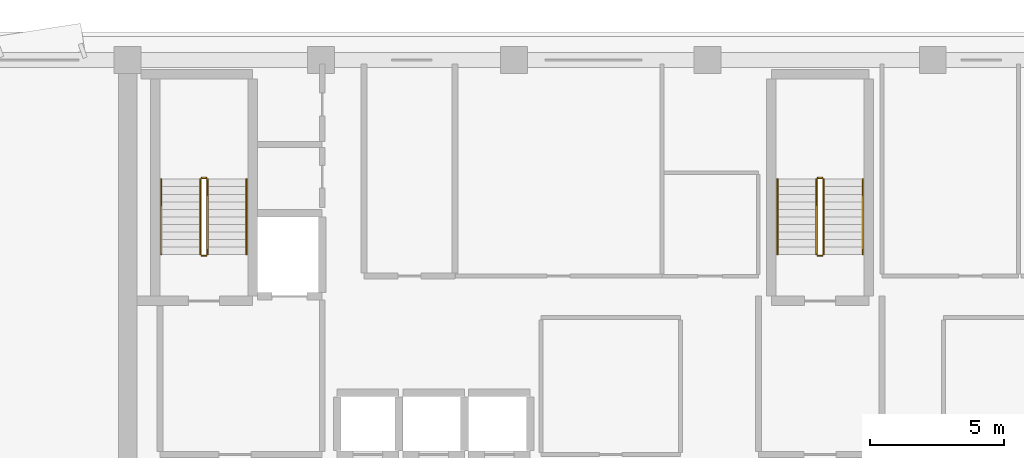
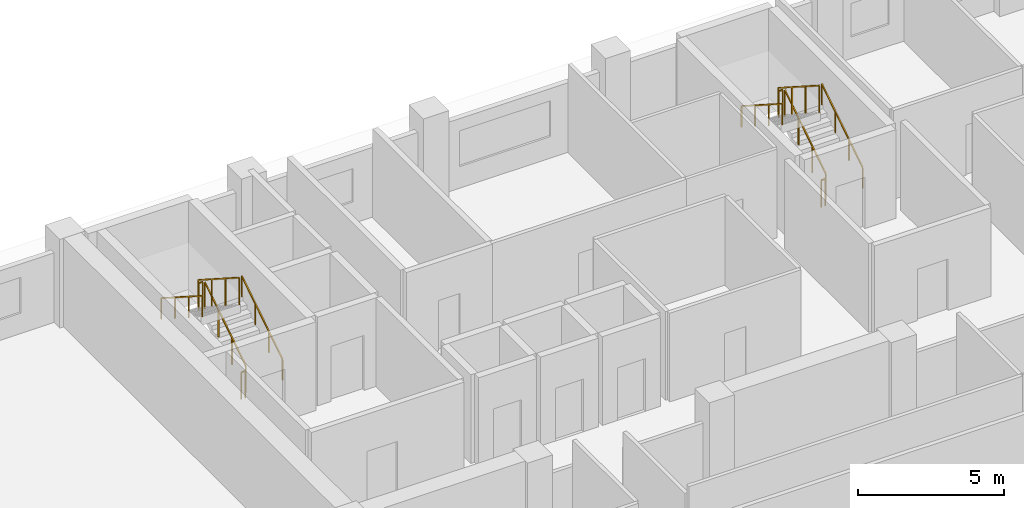
# One storey, part 10 of 11: 12 railings.
"""IFC4 building model written with IfcOpenShell, lengths in metres."""

from ifc_helpers import new_model, si_unit, direction, frame, origin, origin_2d, place, context, subcontext, project, spatial, rectangle, extrude, material, type_object, element, save


model = new_model("IFC4")

# Units and contexts
model_context = context("Model", 3, precision=1e-05, world=origin(), true_north=direction((0.0, 1.0)))
body_context = subcontext(model_context, "Body", "Model", "MODEL_VIEW")
ifc_project = project(units=[si_unit("LENGTHUNIT", "METRE"), si_unit("AREAUNIT", "SQUARE_METRE"), si_unit("VOLUMEUNIT", "CUBIC_METRE"), si_unit("PLANEANGLEUNIT", "RADIAN"), si_unit("MASSUNIT", "GRAM", prefix="KILO")], contexts=[model_context])

# Site, building, storey
site_placement = place(None, origin())
site = spatial("IfcSite", under=ifc_project, at=site_placement, CompositionType="ELEMENT")
building_placement = place(site_placement, origin())
building = spatial("IfcBuilding", under=site, at=building_placement, Name="Kaelvorn Grand Hotel", CompositionType="ELEMENT")
storey_placement = place(building_placement, frame((0.0, 0.0, 268.64990234375)))
storey = spatial("IfcBuildingStorey", under=building, at=storey_placement, Name="L66", CompositionType="ELEMENT", Elevation=268.64990234375)

# Railings
ifc_material = material(Name="Stainless Steel", Category="steel")
railing_type_1 = type_object("IfcRailingType", Name="RL-HANDRAIL-900", PredefinedType="HANDRAIL", material=ifc_material)
railing_1_placement = place(storey_placement, frame((20.6298828125, 41.760009765625, 0.1796875)))
element("IfcRailing", 1, at=railing_1_placement, inside=storey, type_object=railing_type_1, Name="L66 ST1 stair handrail 1", PredefinedType="HANDRAIL", context=body_context, shape_type="SweptSolid", body=[
    extrude(rectangle(XDim=0.048095703125, YDim=0.048095703125, at=origin_2d()), frame((0.0, 0.0, 0.8759765625), z_axis=(0.0, 0.841809871826, 0.539774156196), x_axis=(-1.0, 0.0, 0.0)), (0.0, 0.0, 1.0), 3.326171875),
    extrude(rectangle(XDim=0.0419921875, YDim=0.0419921875, at=origin_2d()), origin(), (0.0, 0.0, 1.0), 0.851806640625),
    extrude(rectangle(XDim=0.0419921875, YDim=0.0419921875, at=origin_2d()), frame((0.0, 0.933349609375, 0.598388671875)), (0.0, 0.0, 1.0), 0.851806640625),
    extrude(rectangle(XDim=0.0419921875, YDim=0.0419921875, at=origin_2d()), frame((0.0, 1.86669921875, 1.197021484375)), (0.0, 0.0, 1.0), 0.851806640625),
    extrude(rectangle(XDim=0.0419921875, YDim=0.0419921875, at=origin_2d()), frame((0.0, 2.800048828125, 1.79541015625)), (0.0, 0.0, 1.0), 0.851806640625),
])
railing_2_placement = place(storey_placement, frame((17.449951171875, 44.56005859375, 2.154541015625)))
element("IfcRailing", 2, at=railing_2_placement, inside=storey, type_object=railing_type_1, Name="L66 ST1 stair handrail 2", PredefinedType="HANDRAIL", context=body_context, shape_type="SweptSolid", body=[
    extrude(rectangle(XDim=0.048095703125, YDim=0.048095703125, at=origin_2d()), frame((0.0, 0.0, 0.8759765625), z_axis=(0.0, -0.841776520102, 0.539826166654), x_axis=(1.0, 0.0, 0.0)), (0.0, 0.0, 1.0), 3.326416015625),
    extrude(rectangle(XDim=0.0419921875, YDim=0.0419921875, at=origin_2d()), origin(), (0.0, 0.0, 1.0), 0.851806640625),
    extrude(rectangle(XDim=0.0419921875, YDim=0.0419921875, at=origin_2d()), frame((0.0, -0.933349609375, 0.5986328125)), (0.0, 0.0, 1.0), 0.851806640625),
    extrude(rectangle(XDim=0.0419921875, YDim=0.0419921875, at=origin_2d()), frame((0.0, -1.86669921875, 1.197021484375)), (0.0, 0.0, 1.0), 0.851806640625),
    extrude(rectangle(XDim=0.0419921875, YDim=0.0419921875, at=origin_2d()), frame((0.0, -2.800048828125, 1.795654296875)), (0.0, 0.0, 1.0), 0.851806640625),
])
railing_3_placement = place(storey_placement, frame((43.590087890625, 41.760009765625, 0.1796875)))
element("IfcRailing", 3, at=railing_3_placement, inside=storey, type_object=railing_type_1, Name="L66 ST2 stair handrail 1", PredefinedType="HANDRAIL", context=body_context, shape_type="SweptSolid", body=[
    extrude(rectangle(XDim=0.048095703125, YDim=0.048095703125, at=origin_2d()), frame((0.0, 0.0, 0.8759765625), z_axis=(0.0, 0.841809871826, 0.539774156196), x_axis=(-1.0, 0.0, 0.0)), (0.0, 0.0, 1.0), 3.326171875),
    extrude(rectangle(XDim=0.0419921875, YDim=0.0419921875, at=origin_2d()), origin(), (0.0, 0.0, 1.0), 0.851806640625),
    extrude(rectangle(XDim=0.0419921875, YDim=0.0419921875, at=origin_2d()), frame((0.0, 0.933349609375, 0.598388671875)), (0.0, 0.0, 1.0), 0.851806640625),
    extrude(rectangle(XDim=0.0419921875, YDim=0.0419921875, at=origin_2d()), frame((0.0, 1.86669921875, 1.197021484375)), (0.0, 0.0, 1.0), 0.851806640625),
    extrude(rectangle(XDim=0.0419921875, YDim=0.0419921875, at=origin_2d()), frame((0.0, 2.800048828125, 1.79541015625)), (0.0, 0.0, 1.0), 0.851806640625),
])
railing_4_placement = place(storey_placement, frame((40.409912109375, 44.56005859375, 2.154541015625)))
element("IfcRailing", 4, at=railing_4_placement, inside=storey, type_object=railing_type_1, Name="L66 ST2 stair handrail 2", PredefinedType="HANDRAIL", context=body_context, shape_type="SweptSolid", body=[
    extrude(rectangle(XDim=0.048095703125, YDim=0.048095703125, at=origin_2d()), frame((0.0, 0.0, 0.8759765625), z_axis=(0.0, -0.841776520102, 0.539826166654), x_axis=(1.0, 0.0, 0.0)), (0.0, 0.0, 1.0), 3.326416015625),
    extrude(rectangle(XDim=0.0419921875, YDim=0.0419921875, at=origin_2d()), origin(), (0.0, 0.0, 1.0), 0.851806640625),
    extrude(rectangle(XDim=0.0419921875, YDim=0.0419921875, at=origin_2d()), frame((0.0, -0.933349609375, 0.5986328125)), (0.0, 0.0, 1.0), 0.851806640625),
    extrude(rectangle(XDim=0.0419921875, YDim=0.0419921875, at=origin_2d()), frame((0.0, -1.86669921875, 1.197021484375)), (0.0, 0.0, 1.0), 0.851806640625),
    extrude(rectangle(XDim=0.0419921875, YDim=0.0419921875, at=origin_2d()), frame((0.0, -2.800048828125, 1.795654296875)), (0.0, 0.0, 1.0), 0.851806640625),
])
railing_type_2 = type_object("IfcRailingType", Name="RL-STAIR-GUARD-1150", PredefinedType="BALUSTRADE", material=ifc_material)
railing_5_placement = place(storey_placement, frame((19.169921875, 41.760009765625, 0.1796875)))
element("IfcRailing", 5, at=railing_5_placement, inside=storey, type_object=railing_type_2, Name="L66 ST1 stair guard 1", PredefinedType="BALUSTRADE", context=body_context, shape_type="SweptSolid", body=[
    extrude(rectangle(XDim=0.048095703125, YDim=0.048095703125, at=origin_2d()), frame((0.0, 0.0, 1.1259765625), z_axis=(0.0, 0.841809871826, 0.539774156196), x_axis=(-1.0, 0.0, 0.0)), (0.0, 0.0, 1.0), 3.326171875),
    extrude(rectangle(XDim=0.0419921875, YDim=0.0419921875, at=origin_2d()), origin(), (0.0, 0.0, 1.0), 1.101806640625),
    extrude(rectangle(XDim=0.0419921875, YDim=0.0419921875, at=origin_2d()), frame((0.0, 0.933349609375, 0.598388671875)), (0.0, 0.0, 1.0), 1.101806640625),
    extrude(rectangle(XDim=0.0419921875, YDim=0.0419921875, at=origin_2d()), frame((0.0, 1.86669921875, 1.197021484375)), (0.0, 0.0, 1.0), 1.101806640625),
    extrude(rectangle(XDim=0.0419921875, YDim=0.0419921875, at=origin_2d()), frame((0.0, 2.800048828125, 1.79541015625)), (0.0, 0.0, 1.0), 1.101806640625),
])
railing_6_placement = place(storey_placement, frame((19.1201171875, 44.610107421875, 1.97509765625)))
element("IfcRailing", 6, at=railing_6_placement, inside=storey, type_object=railing_type_2, Name="L66 ST1 stair guard 2", PredefinedType="BALUSTRADE", context=body_context, shape_type="SweptSolid", body=[
    extrude(rectangle(XDim=0.048095703125, YDim=0.048095703125, at=origin_2d()), frame((0.0, 0.0, 1.1259765625), z_axis=(-1.0, 0.0, 0.0), x_axis=(0.0, -1.0, 0.0)), (0.0, 0.0, 1.0), 0.16015625),
    extrude(rectangle(XDim=0.0419921875, YDim=0.0419921875, at=origin_2d()), origin(), (0.0, 0.0, 1.0), 1.101806640625),
    extrude(rectangle(XDim=0.0419921875, YDim=0.0419921875, at=origin_2d()), frame((-0.16015625, 0.0, 0.0)), (0.0, 0.0, 1.0), 1.101806640625),
])
railing_7_placement = place(storey_placement, frame((18.909912109375, 44.56005859375, 2.154541015625)))
element("IfcRailing", 7, at=railing_7_placement, inside=storey, type_object=railing_type_2, Name="L66 ST1 stair guard 3", PredefinedType="BALUSTRADE", context=body_context, shape_type="SweptSolid", body=[
    extrude(rectangle(XDim=0.048095703125, YDim=0.048095703125, at=origin_2d()), frame((0.0, 0.0, 1.1259765625), z_axis=(0.0, -0.841776520102, 0.539826166654), x_axis=(1.0, 0.0, 0.0)), (0.0, 0.0, 1.0), 3.326416015625),
    extrude(rectangle(XDim=0.0419921875, YDim=0.0419921875, at=origin_2d()), origin(), (0.0, 0.0, 1.0), 1.101806640625),
    extrude(rectangle(XDim=0.0419921875, YDim=0.0419921875, at=origin_2d()), frame((0.0, -0.933349609375, 0.5986328125)), (0.0, 0.0, 1.0), 1.101806640625),
    extrude(rectangle(XDim=0.0419921875, YDim=0.0419921875, at=origin_2d()), frame((0.0, -1.86669921875, 1.197021484375)), (0.0, 0.0, 1.0), 1.101806640625),
    extrude(rectangle(XDim=0.0419921875, YDim=0.0419921875, at=origin_2d()), frame((0.0, -2.800048828125, 1.795654296875)), (0.0, 0.0, 1.0), 1.101806640625),
])
railing_8_placement = place(storey_placement, frame((19.1201171875, 41.7099609375, 0.0)))
element("IfcRailing", 8, at=railing_8_placement, inside=storey, type_object=railing_type_2, Name="L66 ST1 stair guard 4", PredefinedType="BALUSTRADE", context=body_context, shape_type="SweptSolid", body=[
    extrude(rectangle(XDim=0.048095703125, YDim=0.048095703125, at=origin_2d()), frame((0.0, 0.0, 1.1259765625), z_axis=(-1.0, 0.0, 0.0), x_axis=(0.0, -1.0, 0.0)), (0.0, 0.0, 1.0), 0.16015625),
    extrude(rectangle(XDim=0.0419921875, YDim=0.0419921875, at=origin_2d()), origin(), (0.0, 0.0, 1.0), 1.101806640625),
    extrude(rectangle(XDim=0.0419921875, YDim=0.0419921875, at=origin_2d()), frame((-0.16015625, 0.0, 0.0)), (0.0, 0.0, 1.0), 1.101806640625),
])
railing_9_placement = place(storey_placement, frame((42.1298828125, 41.760009765625, 0.1796875)))
element("IfcRailing", 9, at=railing_9_placement, inside=storey, type_object=railing_type_2, Name="L66 ST2 stair guard 1", PredefinedType="BALUSTRADE", context=body_context, shape_type="SweptSolid", body=[
    extrude(rectangle(XDim=0.048095703125, YDim=0.048095703125, at=origin_2d()), frame((0.0, 0.0, 1.1259765625), z_axis=(0.0, 0.841809871826, 0.539774156196), x_axis=(-1.0, 0.0, 0.0)), (0.0, 0.0, 1.0), 3.326171875),
    extrude(rectangle(XDim=0.0419921875, YDim=0.0419921875, at=origin_2d()), origin(), (0.0, 0.0, 1.0), 1.101806640625),
    extrude(rectangle(XDim=0.0419921875, YDim=0.0419921875, at=origin_2d()), frame((0.0, 0.933349609375, 0.598388671875)), (0.0, 0.0, 1.0), 1.101806640625),
    extrude(rectangle(XDim=0.0419921875, YDim=0.0419921875, at=origin_2d()), frame((0.0, 1.86669921875, 1.197021484375)), (0.0, 0.0, 1.0), 1.101806640625),
    extrude(rectangle(XDim=0.0419921875, YDim=0.0419921875, at=origin_2d()), frame((0.0, 2.800048828125, 1.79541015625)), (0.0, 0.0, 1.0), 1.101806640625),
])
railing_10_placement = place(storey_placement, frame((42.080078125, 44.610107421875, 1.97509765625)))
element("IfcRailing", 10, at=railing_10_placement, inside=storey, type_object=railing_type_2, Name="L66 ST2 stair guard 2", PredefinedType="BALUSTRADE", context=body_context, shape_type="SweptSolid", body=[
    extrude(rectangle(XDim=0.048095703125, YDim=0.048095703125, at=origin_2d()), frame((0.0, 0.0, 1.1259765625), z_axis=(-1.0, 0.0, 0.0), x_axis=(0.0, -1.0, 0.0)), (0.0, 0.0, 1.0), 0.16015625),
    extrude(rectangle(XDim=0.0419921875, YDim=0.0419921875, at=origin_2d()), origin(), (0.0, 0.0, 1.0), 1.101806640625),
    extrude(rectangle(XDim=0.0419921875, YDim=0.0419921875, at=origin_2d()), frame((-0.16015625, 0.0, 0.0)), (0.0, 0.0, 1.0), 1.101806640625),
])
railing_11_placement = place(storey_placement, frame((41.8701171875, 44.56005859375, 2.154541015625)))
element("IfcRailing", 11, at=railing_11_placement, inside=storey, type_object=railing_type_2, Name="L66 ST2 stair guard 3", PredefinedType="BALUSTRADE", context=body_context, shape_type="SweptSolid", body=[
    extrude(rectangle(XDim=0.048095703125, YDim=0.048095703125, at=origin_2d()), frame((0.0, 0.0, 1.1259765625), z_axis=(0.0, -0.841776520102, 0.539826166654), x_axis=(1.0, 0.0, 0.0)), (0.0, 0.0, 1.0), 3.326416015625),
    extrude(rectangle(XDim=0.0419921875, YDim=0.0419921875, at=origin_2d()), origin(), (0.0, 0.0, 1.0), 1.101806640625),
    extrude(rectangle(XDim=0.0419921875, YDim=0.0419921875, at=origin_2d()), frame((0.0, -0.933349609375, 0.5986328125)), (0.0, 0.0, 1.0), 1.101806640625),
    extrude(rectangle(XDim=0.0419921875, YDim=0.0419921875, at=origin_2d()), frame((0.0, -1.86669921875, 1.197021484375)), (0.0, 0.0, 1.0), 1.101806640625),
    extrude(rectangle(XDim=0.0419921875, YDim=0.0419921875, at=origin_2d()), frame((0.0, -2.800048828125, 1.795654296875)), (0.0, 0.0, 1.0), 1.101806640625),
])
railing_12_placement = place(storey_placement, frame((42.080078125, 41.7099609375, 0.0)))
element("IfcRailing", 12, at=railing_12_placement, inside=storey, type_object=railing_type_2, Name="L66 ST2 stair guard 4", PredefinedType="BALUSTRADE", context=body_context, shape_type="SweptSolid", body=[
    extrude(rectangle(XDim=0.048095703125, YDim=0.048095703125, at=origin_2d()), frame((0.0, 0.0, 1.1259765625), z_axis=(-1.0, 0.0, 0.0), x_axis=(0.0, -1.0, 0.0)), (0.0, 0.0, 1.0), 0.16015625),
    extrude(rectangle(XDim=0.0419921875, YDim=0.0419921875, at=origin_2d()), origin(), (0.0, 0.0, 1.0), 1.101806640625),
    extrude(rectangle(XDim=0.0419921875, YDim=0.0419921875, at=origin_2d()), frame((-0.16015625, 0.0, 0.0)), (0.0, 0.0, 1.0), 1.101806640625),
])

save(model, "model.ifc")
